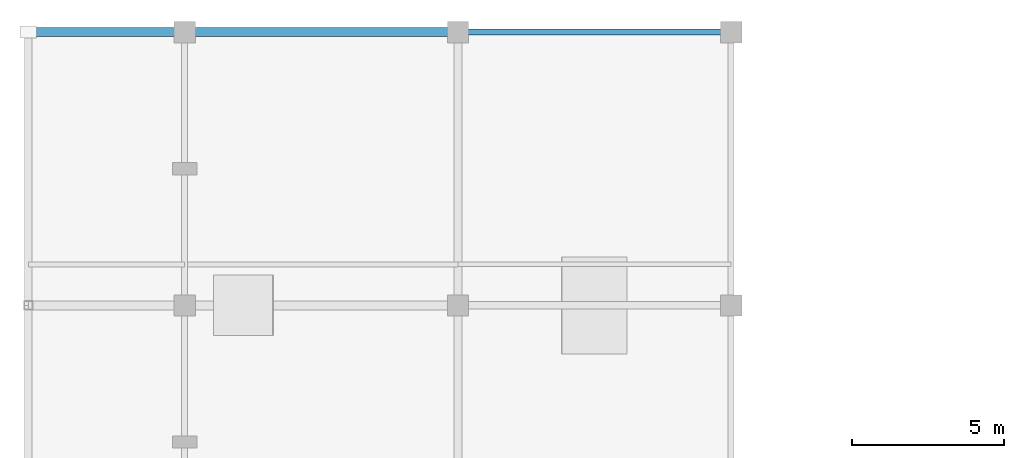
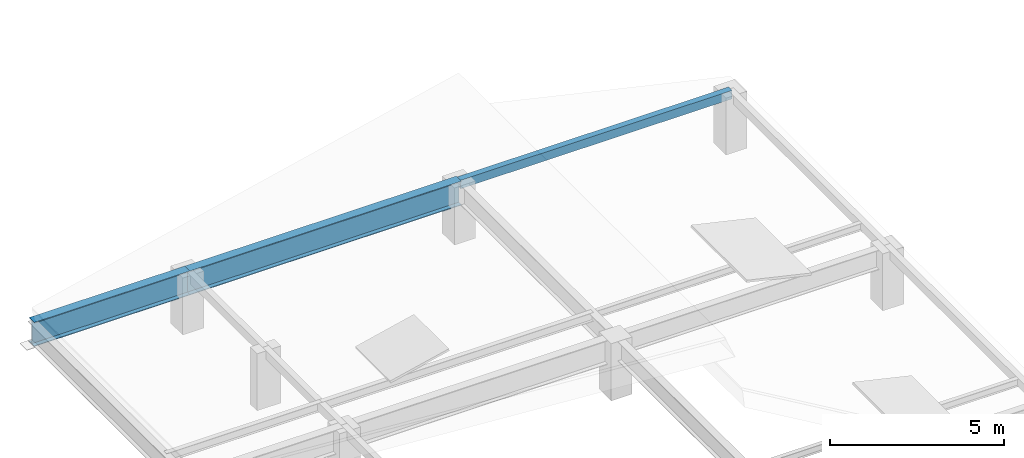
# One storey, part 12 of 28: 3 beams.
"""IFC4 building model written with IfcOpenShell, lengths in metres."""

from ifc_helpers import new_model, si_unit, direction, frame, origin, origin_2d, place, context, subcontext, project, spatial, hollow_rectangle, i_section, extrude, material, material_profile, profile_set, type_object, element, save


model = new_model("IFC4")

# Units and contexts
model_context = context("Model", 3, precision=1e-05, world=origin(), true_north=direction((0.0, 1.0)))
body_context = subcontext(model_context, "Body", "Model", "MODEL_VIEW")
ifc_project = project(units=[si_unit("LENGTHUNIT", "METRE"), si_unit("AREAUNIT", "SQUARE_METRE"), si_unit("VOLUMEUNIT", "CUBIC_METRE"), si_unit("PLANEANGLEUNIT", "RADIAN"), si_unit("MASSUNIT", "GRAM", prefix="KILO")], contexts=[model_context])

# Site, building, storey
site_placement = place(None, origin())
site = spatial("IfcSite", under=ifc_project, at=site_placement, CompositionType="ELEMENT")
building_placement = place(site_placement, origin())
building = spatial("IfcBuilding", under=site, at=building_placement, Name="Ventoquebrada Cableway Terminal", CompositionType="ELEMENT")
storey_placement = place(building_placement, frame((0.0, 0.0, 23.39990234375)))
storey = spatial("IfcBuildingStorey", under=building, at=storey_placement, Name="RF", CompositionType="ELEMENT", Elevation=23.39990234375)

# Beams
ifc_material_1 = material(Name="Steel ASTM A992 Grade 50", Category="steel")
ifc_material_profile_1 = material_profile(ifc_material_1, i_section(OverallWidth=0.2919921875, OverallDepth=0.845947265625, WebThickness=0.015380859375, FlangeThickness=0.0244140625, at=origin_2d()), Name="W33X141")
ifc_profile_set_1 = profile_set([ifc_material_profile_1], Name="Steel ASTM A992 Grade 50")
beam_type_1 = type_object("IfcBeamType", Name="BM-ST06", PredefinedType="BEAM", material=ifc_profile_set_1)
beam_1_placement = place(storey_placement, frame((8.199951171875, 104.0, 1.5771484375), z_axis=(1.0, 0.0, 0.0), x_axis=(0.0, 1.0, 0.0)))
element("IfcBeam", 1, at=beam_1_placement, inside=storey, type_object=beam_type_1, Name="Roof frame girder FBM-0891", PredefinedType="BEAM", context=body_context, shape_type="SweptSolid", body=[
    extrude(i_section(OverallWidth=0.2919921875, OverallDepth=0.845947265625, WebThickness=0.015380859375, FlangeThickness=0.0244140625, at=origin_2d()), origin(), (0.0, 0.0, 1.0), 9.0),
])
beam_2_placement = place(storey_placement, frame((3.050048828125, 104.0, 1.5771484375), z_axis=(1.0, 0.0, 0.0), x_axis=(0.0, 1.0, 0.0)))
element("IfcBeam", 2, at=beam_2_placement, inside=storey, type_object=beam_type_1, Name="Cantilever belvedere girder CB-022", PredefinedType="BEAM", context=body_context, shape_type="SweptSolid", body=[
    extrude(i_section(OverallWidth=0.2919921875, OverallDepth=0.845947265625, WebThickness=0.015380859375, FlangeThickness=0.0244140625, at=origin_2d()), origin(), (0.0, 0.0, 1.0), 5.14990234375),
])
ifc_material_2 = material(Name="Steel ASTM A500 Grade C", Category="steel")
ifc_material_profile_2 = material_profile(ifc_material_2, hollow_rectangle(XDim=0.199951171875, YDim=0.300048828125, WallThickness=0.012451171875, at=origin_2d()), Name="RHS300X200X12.5")
ifc_profile_set_2 = profile_set([ifc_material_profile_2], Name="Steel ASTM A500 Grade C")
beam_type_2 = type_object("IfcBeamType", Name="SP-ST02", PredefinedType="SPANDREL", material=ifc_profile_set_2)
beam_3_placement = place(storey_placement, frame((17.199951171875, 104.0, 1.85009765625), z_axis=(1.0, 0.0, 0.0), x_axis=(0.0, 1.0, 0.0)))
element("IfcBeam", 3, at=beam_3_placement, inside=storey, type_object=beam_type_2, Name="Roof frame girder FBM-0892", PredefinedType="SPANDREL", context=body_context, shape_type="SweptSolid", body=[
    extrude(hollow_rectangle(XDim=0.199951171875, YDim=0.300048828125, WallThickness=0.012451171875, at=origin_2d()), origin(), (0.0, 0.0, 1.0), 9.0),
])

save(model, "model.ifc")
